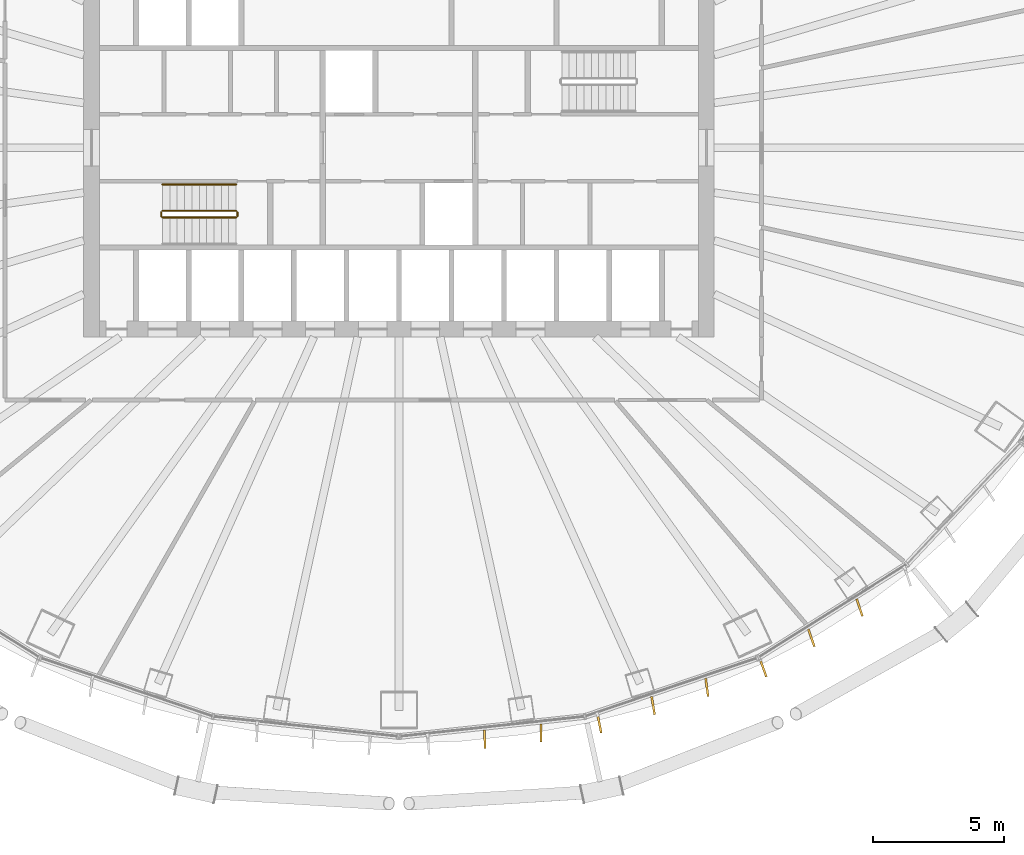
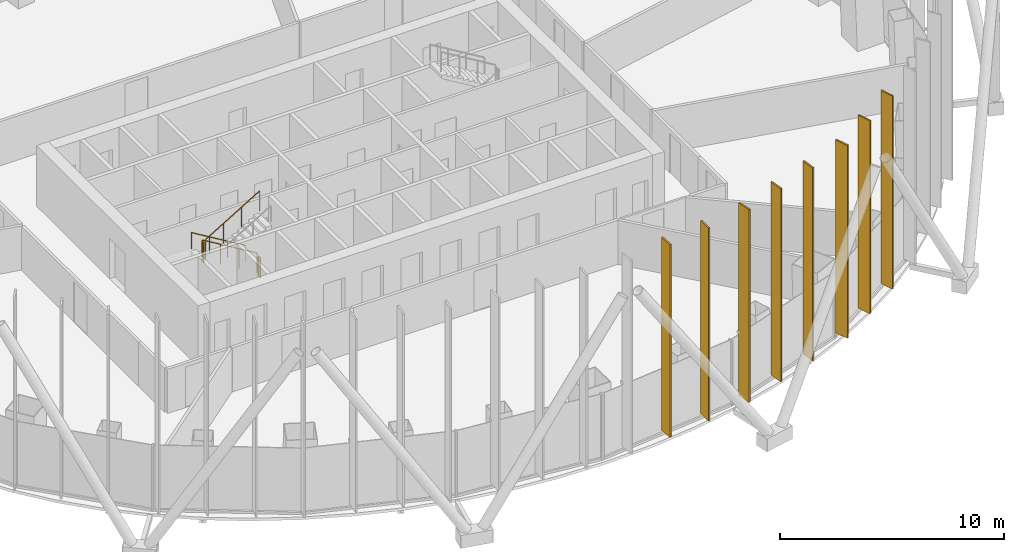
# One storey, part 17 of 19: 8 shading devices, 5 railings.
"""IFC4 building model written with IfcOpenShell, lengths in metres."""

from ifc_helpers import new_model, si_unit, direction, frame, origin, origin_2d, place, context, subcontext, project, spatial, rectangle, circle, extrude, material, layer, layer_set, type_object, element, save


model = new_model("IFC4")

# Units and contexts
model_context = context("Model", 3, precision=1e-05, world=origin(), true_north=direction((0.0, 1.0)))
body_context = subcontext(model_context, "Body", "Model", "MODEL_VIEW")
ifc_project = project(units=[si_unit("LENGTHUNIT", "METRE"), si_unit("AREAUNIT", "SQUARE_METRE"), si_unit("VOLUMEUNIT", "CUBIC_METRE"), si_unit("PLANEANGLEUNIT", "RADIAN"), si_unit("MASSUNIT", "GRAM", prefix="KILO")], contexts=[model_context])

# Site, building, storey
site_placement = place(None, origin())
site = spatial("IfcSite", under=ifc_project, at=site_placement, CompositionType="ELEMENT")
building_placement = place(site_placement, origin())
building = spatial("IfcBuilding", under=site, at=building_placement, Name="Siaravel Broadcast Tower", CompositionType="ELEMENT")
storey_placement = place(building_placement, frame((0.0, 0.0, 59.300048828125)))
storey = spatial("IfcBuildingStorey", under=building, at=storey_placement, Name="L13", CompositionType="ELEMENT", Elevation=59.300048828125)

# Shading devices
ifc_material_1 = material(Name="Bronze anodised aluminium", Category="aluminium")
ifc_layer = layer(ifc_material_1, 0.080078125)
ifc_layer_set = layer_set([ifc_layer], Name="Bronze anodised aluminium")
shading_device_type = type_object("IfcShadingDeviceType", Name="Bronze fin zone 1", PredefinedType="USERDEFINED", material=ifc_layer_set)
for number, where, z_axis, x_axis, name in (
    (1, (3.264404296875, -22.5078125, 0.300048828125), (0.0, 0.0, 1.0), (0.049512192, -0.998773519, 0.0), "Bronze fin L13-56"),
    (2, (5.4091796875, -22.275634765625, 0.300048828125), (0.0, 0.0, 1.0), (0.012395011, -0.999923179, 0.0), "Bronze fin L13-57"),
    (3, (7.629638671875, -21.928955078125, 0.300048828125), (0.0, 0.0, 1.0), (0.196257627, -0.980552367, 0.0), "Bronze fin L13-58"),
    (4, (9.673828125, -21.233642578125, 0.300048828125), (0.0, 0.0, 1.0), (0.164866857, -0.986315832, 0.0), "Bronze fin L13-59"),
    (5, (11.71923828125, -20.537841796875, 0.300048828125), (0.0, 0.0, 1.0), (0.13742553, -0.990512102, 0.0), "Bronze fin L13-60"),
    (6, (13.8642578125, -19.807373046875, 0.300048828125), (0.0, 0.0, 1.0), (0.342297301, -0.939591697, 0.0), "Bronze fin L13-61"),
    (7, (15.69580078125, -18.654541015625, 0.300048828125), (0.0, 0.0, 1.0), (0.325787628, -0.945442976, 0.0), "Bronze fin L13-62"),
    (8, (17.52978515625, -17.5009765625, 0.300048828125), (0.0, 0.0, 1.0), (0.315357548, -0.948972927, 0.0), "Bronze fin L13-63"),
):
    element("IfcShadingDevice", number, at=place(storey_placement, frame(where, z_axis=z_axis, x_axis=x_axis)), inside=storey, type_object=shading_device_type, Name=name, ObjectType="FIN", PredefinedType="USERDEFINED", context=body_context, shape_type="SweptSolid", body=[
        extrude(rectangle(XDim=0.699951171875, YDim=0.080078125, at=origin_2d()), origin(), (0.0, 0.0, 1.0), 10.5),
    ])

# Railings
ifc_material_2 = material(Name="Stainless steel 316L", Category="steel")
railing_type_1 = type_object("IfcRailingType", Name="Stair guard 1100", PredefinedType="GUARDRAIL", material=ifc_material_2)
railing_1_placement = place(storey_placement, frame((-6.199951171875, -2.39990234375, 0.168212890625)))
element("IfcRailing", 9, at=railing_1_placement, inside=storey, type_object=railing_type_1, Name="L13 ST-1 stair guard 1", PredefinedType="GUARDRAIL", context=body_context, shape_type="SweptSolid", body=[
    extrude(circle(Radius=0.02392578125, at=origin_2d()), frame((0.0, 0.0, 1.076171875), z_axis=(-0.857275203, 0.0, 0.514858453), x_axis=(0.0, -1.0, 0.0)), (0.0, 0.0, 1.0), 3.26611328125),
    extrude(circle(Radius=0.02099609375, at=origin_2d()), origin(), (0.0, 0.0, 1.0), 1.052001953125),
    extrude(circle(Radius=0.02099609375, at=origin_2d()), frame((-0.933349609375, 0.0, 0.560546875)), (0.0, 0.0, 1.0), 1.052001953125),
    extrude(circle(Radius=0.02099609375, at=origin_2d()), frame((-1.86669921875, 0.0, 1.12109375)), (0.0, 0.0, 1.0), 1.052001953125),
    extrude(circle(Radius=0.02099609375, at=origin_2d()), frame((-2.800048828125, 0.0, 1.681640625)), (0.0, 0.0, 1.0), 1.052001953125),
])
railing_2_placement = place(storey_placement, frame((-9.050048828125, -2.449951171875, 1.849853515625)))
element("IfcRailing", 10, at=railing_2_placement, inside=storey, type_object=railing_type_1, Name="L13 ST-1 stair guard 2", PredefinedType="GUARDRAIL", context=body_context, shape_type="SweptSolid", body=[
    extrude(circle(Radius=0.02392578125, at=origin_2d()), frame((0.0, 0.0, 1.076171875), z_axis=(0.0, -1.0, 0.0), x_axis=(1.0, 0.0, 0.0)), (0.0, 0.0, 1.0), 0.150146484375),
    extrude(circle(Radius=0.02099609375, at=origin_2d()), origin(), (0.0, 0.0, 1.0), 1.052001953125),
    extrude(circle(Radius=0.02099609375, at=origin_2d()), frame((0.0, -0.150146484375, 0.0)), (0.0, 0.0, 1.0), 1.052001953125),
])
railing_3_placement = place(storey_placement, frame((-9.0, -2.64990234375, 2.01806640625)))
element("IfcRailing", 11, at=railing_3_placement, inside=storey, type_object=railing_type_1, Name="L13 ST-1 stair guard 3", PredefinedType="GUARDRAIL", context=body_context, shape_type="SweptSolid", body=[
    extrude(circle(Radius=0.02392578125, at=origin_2d()), frame((0.0, 0.0, 1.076171875), z_axis=(0.857242211, 0.0, 0.514913383), x_axis=(0.0, 1.0, 0.0)), (0.0, 0.0, 1.0), 3.266357421875),
    extrude(circle(Radius=0.02099609375, at=origin_2d()), origin(), (0.0, 0.0, 1.0), 1.052001953125),
    extrude(circle(Radius=0.02099609375, at=origin_2d()), frame((0.933349609375, 0.0, 0.560546875)), (0.0, 0.0, 1.0), 1.052001953125),
    extrude(circle(Radius=0.02099609375, at=origin_2d()), frame((1.86669921875, 0.0, 1.121337890625)), (0.0, 0.0, 1.0), 1.052001953125),
    extrude(circle(Radius=0.02099609375, at=origin_2d()), frame((2.800048828125, 0.0, 1.681884765625)), (0.0, 0.0, 1.0), 1.052001953125),
])
railing_4_placement = place(storey_placement, frame((-6.14990234375, -2.449951171875, 0.0)))
element("IfcRailing", 12, at=railing_4_placement, inside=storey, type_object=railing_type_1, Name="L13 ST-1 stair guard 4", PredefinedType="GUARDRAIL", context=body_context, shape_type="SweptSolid", body=[
    extrude(circle(Radius=0.02392578125, at=origin_2d()), frame((0.0, 0.0, 1.076171875), z_axis=(0.0, -1.0, 0.0), x_axis=(1.0, 0.0, 0.0)), (0.0, 0.0, 1.0), 0.150146484375),
    extrude(circle(Radius=0.02099609375, at=origin_2d()), origin(), (0.0, 0.0, 1.0), 1.052001953125),
    extrude(circle(Radius=0.02099609375, at=origin_2d()), frame((0.0, -0.150146484375, 0.0)), (0.0, 0.0, 1.0), 1.052001953125),
])
railing_type_2 = type_object("IfcRailingType", Name="Stair handrail 900", PredefinedType="HANDRAIL", material=ifc_material_2)
railing_5_placement = place(storey_placement, frame((-6.199951171875, -1.39990234375, 0.168212890625)))
element("IfcRailing", 13, at=railing_5_placement, inside=storey, type_object=railing_type_2, Name="L13 ST-1 stair handrail 1", PredefinedType="HANDRAIL", context=body_context, shape_type="SweptSolid", body=[
    extrude(circle(Radius=0.02392578125, at=origin_2d()), frame((0.0, 0.0, 0.8759765625), z_axis=(-0.857275203, 0.0, 0.514858453), x_axis=(0.0, -1.0, 0.0)), (0.0, 0.0, 1.0), 3.26611328125),
    extrude(circle(Radius=0.02099609375, at=origin_2d()), origin(), (0.0, 0.0, 1.0), 0.851806640625),
    extrude(circle(Radius=0.02099609375, at=origin_2d()), frame((-0.933349609375, 0.0, 0.560546875)), (0.0, 0.0, 1.0), 0.851806640625),
    extrude(circle(Radius=0.02099609375, at=origin_2d()), frame((-1.86669921875, 0.0, 1.12109375)), (0.0, 0.0, 1.0), 0.851806640625),
    extrude(circle(Radius=0.02099609375, at=origin_2d()), frame((-2.800048828125, 0.0, 1.681640625)), (0.0, 0.0, 1.0), 0.851806640625),
])

save(model, "model.ifc")
